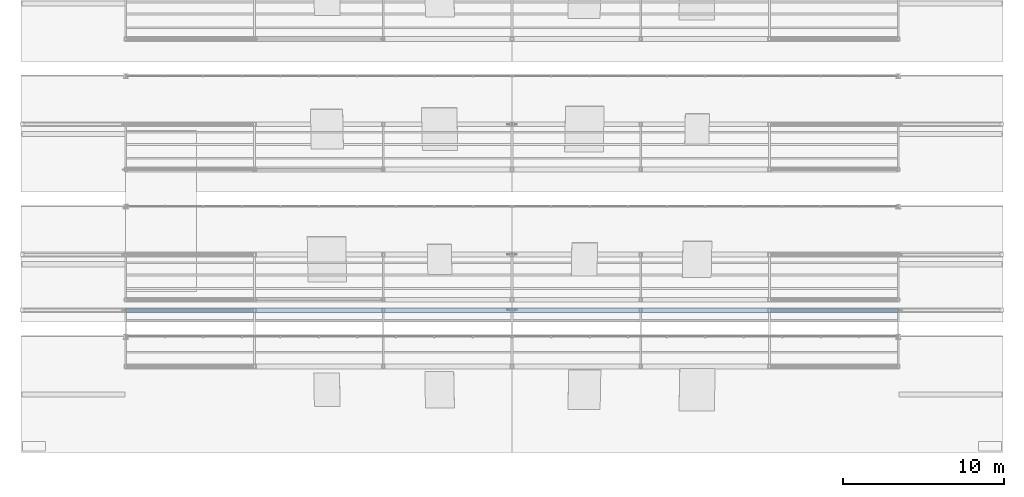
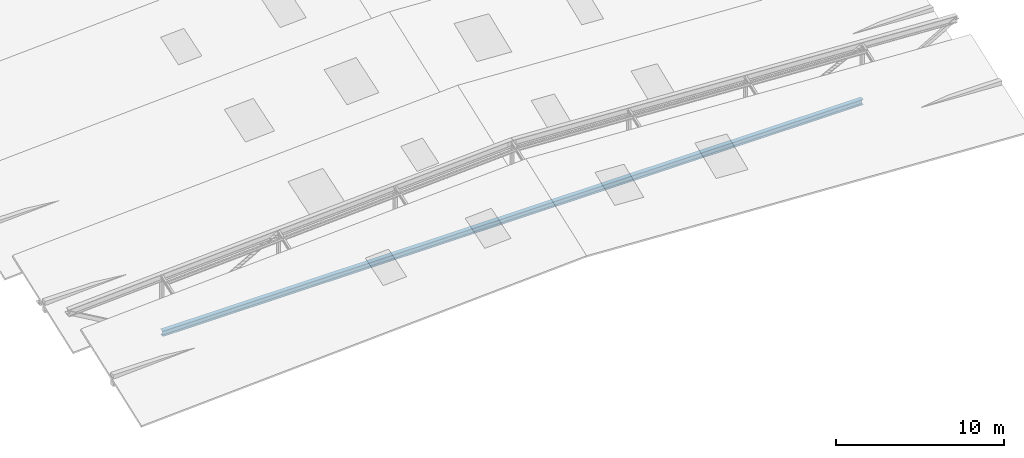
# One storey, part 17 of 141: 1 member.
"""IFC4 building model written with IfcOpenShell, lengths in metres."""

from ifc_helpers import new_model, si_unit, direction, frame, origin, origin_2d, place, context, subcontext, project, spatial, i_section, extrude, material, material_profile, profile_set, type_object, element, save


model = new_model("IFC4")

# Units and contexts
model_context = context("Model", 3, precision=1e-05, world=origin(), true_north=direction((0.0, 1.0)))
body_context = subcontext(model_context, "Body", "Model", "MODEL_VIEW")
ifc_project = project(units=[si_unit("LENGTHUNIT", "METRE"), si_unit("AREAUNIT", "SQUARE_METRE"), si_unit("VOLUMEUNIT", "CUBIC_METRE"), si_unit("PLANEANGLEUNIT", "RADIAN"), si_unit("MASSUNIT", "GRAM", prefix="KILO")], contexts=[model_context])

# Site, building, storey
site_placement = place(None, origin())
site = spatial("IfcSite", under=ifc_project, at=site_placement, CompositionType="ELEMENT")
building_placement = place(site_placement, origin())
building = spatial("IfcBuilding", under=site, at=building_placement, Name="Sundkrona Museum", CompositionType="ELEMENT")
storey_placement = place(building_placement, frame((0.0, 0.0, 34.0)))
storey = spatial("IfcBuildingStorey", under=building, at=storey_placement, Name="RF", CompositionType="ELEMENT", Elevation=34.0)

# Member
ifc_material = material(Name="Steel S355J2", Category="steel")
ifc_material_profile = material_profile(ifc_material, i_section(OverallWidth=0.300048828125, OverallDepth=0.39990234375, WebThickness=0.013427734375, FlangeThickness=0.02392578125, FilletRadius=0.027099609375, at=origin_2d()), Name="HEB 400")
ifc_profile_set = profile_set([ifc_material_profile], Name="Steel S355J2")
member_type = type_object("IfcMemberType", Name="TC-HEB400", PredefinedType="CHORD", material=ifc_profile_set)
member_placement = place(storey_placement, frame((120.0, 3.85009765625, -0.25), z_axis=(1.0, 0.0, 0.0), x_axis=(0.0, 1.0, 0.0)))
element("IfcMember", 1, at=member_placement, inside=storey, type_object=member_type, Name="RFS-1 Sawtooth Truss 1 Continuous Bottom Tie Chord", PredefinedType="CHORD", context=body_context, shape_type="SweptSolid", body=[
    extrude(i_section(OverallWidth=0.300048828125, OverallDepth=0.39990234375, WebThickness=0.013427734375, FlangeThickness=0.02392578125, FilletRadius=0.027099609375, at=origin_2d()), origin(), (0.0, 0.0, 1.0), 48.0),
])

save(model, "model.ifc")
